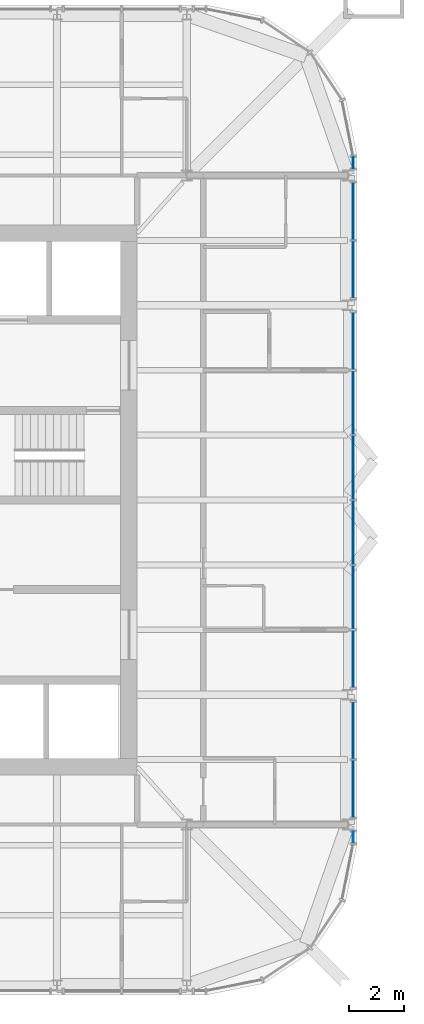
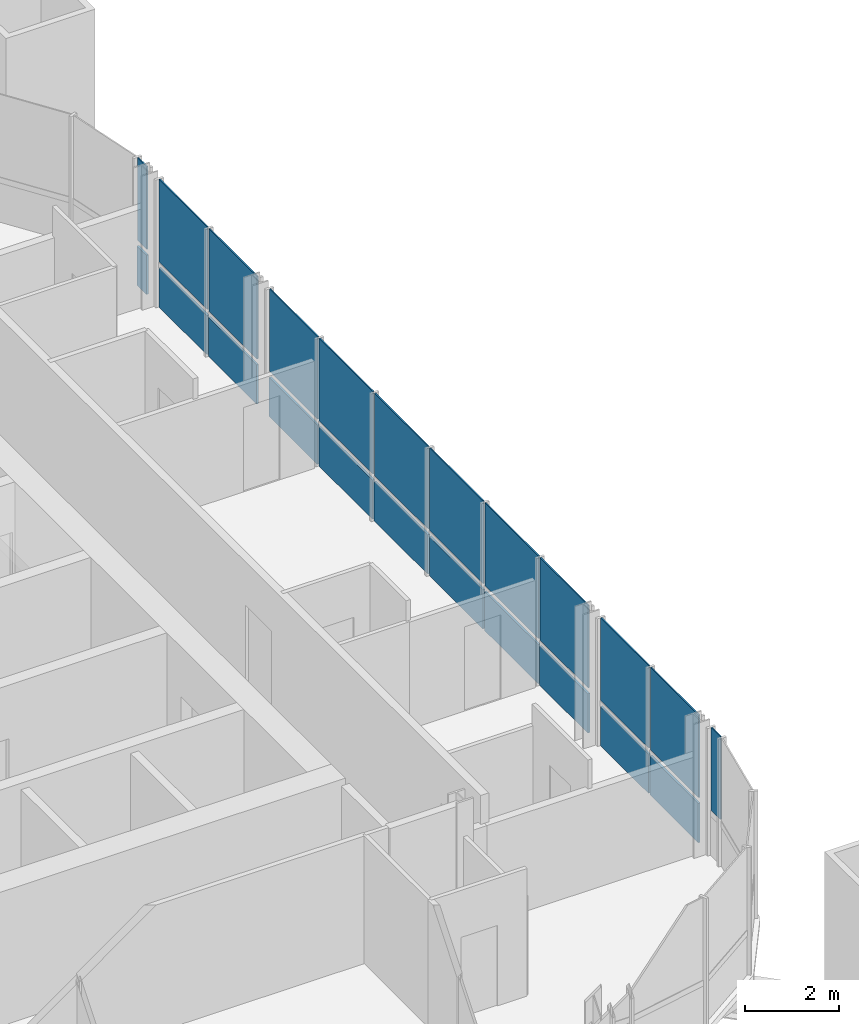
# One storey, part 11 of 17: 23 plates, 5 elements without a shape of their own.
"""IFC4 building model written with IfcOpenShell, lengths in metres."""

from ifc_helpers import new_model, si_unit, direction, frame, origin, origin_2d, place, context, subcontext, project, spatial, rectangle, extrude, material, layer, layer_set, type_object, element, aggregate, save


model = new_model("IFC4")

# Units and contexts
model_context = context("Model", 3, precision=1e-05, world=origin(), true_north=direction((0.0, 1.0)))
body_context = subcontext(model_context, "Body", "Model", "MODEL_VIEW")
ifc_project = project(units=[si_unit("LENGTHUNIT", "METRE"), si_unit("AREAUNIT", "SQUARE_METRE"), si_unit("VOLUMEUNIT", "CUBIC_METRE"), si_unit("PLANEANGLEUNIT", "RADIAN"), si_unit("MASSUNIT", "GRAM", prefix="KILO")], contexts=[model_context])

# Site, building, storey
site_placement = place(None, origin())
site = spatial("IfcSite", under=ifc_project, at=site_placement, CompositionType="ELEMENT")
building_placement = place(site_placement, origin())
building = spatial("IfcBuilding", under=site, at=building_placement, Name="Turquesa Mirador Hotel Tower", CompositionType="ELEMENT")
storey_placement = place(building_placement, frame((0.0, 0.0, 247.699951171875)))
storey = spatial("IfcBuildingStorey", under=building, at=storey_placement, Name="L67", CompositionType="ELEMENT", Elevation=247.699951171875)

# Curtain wall, plates
ifc_material_1 = material(Name="Aluminium extrusion", Category="aluminium")
curtain_wall_type = type_object("IfcCurtainWallType", Name="CW-4 SUITE FRITTED CURTAIN WALL", PredefinedType="USERDEFINED", material=ifc_material_1)
curtain_wall_1_placement = place(storey_placement, origin())
curtain_wall_1 = element("IfcCurtainWall", 1, at=curtain_wall_1_placement, inside=storey, type_object=curtain_wall_type, Name="CW-4 SUITE FRITTED CURTAIN WALL L67", ObjectType="CURTAIN WALL", PredefinedType="USERDEFINED")
ifc_material_2 = material(Name="Ceramic-printed spandrel glass on an insulated back pan", Category="glass")
ifc_layer_1 = layer(ifc_material_2, 0.050048828125)
ifc_layer_set_1 = layer_set([ifc_layer_1], Name="CW PANEL SPANDREL CERAMIC")
plate_type_1 = type_object("IfcPlateType", Name="CW PANEL SPANDREL CERAMIC", PredefinedType="CURTAIN_PANEL", material=ifc_layer_set_1)
plate_1_placement = place(storey_placement, frame((72.85009765625, 34.496826171875, 0.0), z_axis=(0.0, 0.0, 1.0), x_axis=(0.0, 1.0, 0.0)))
plate_1 = element("IfcPlate", 2, at=plate_1_placement, type_object=plate_type_1, Name="Panel", PredefinedType="CURTAIN_PANEL", context=body_context, shape_type="SweptSolid", body=[
    extrude(rectangle(XDim=2.06103515625, YDim=0.050048828125, at=origin_2d()), origin(), (0.0, 0.0, 1.0), 1.02490234375),
])
plate_2_placement = place(storey_placement, frame((72.85009765625, 36.623046875, 0.0), z_axis=(0.0, 0.0, 1.0), x_axis=(0.0, 1.0, 0.0)))
plate_2 = element("IfcPlate", 3, at=plate_2_placement, type_object=plate_type_1, Name="Panel", PredefinedType="CURTAIN_PANEL", context=body_context, shape_type="SweptSolid", body=[
    extrude(rectangle(XDim=2.06103515625, YDim=0.050048828125, at=origin_2d()), origin(), (0.0, 0.0, 1.0), 1.02490234375),
])

curtain_wall_2_placement = place(storey_placement, origin())
curtain_wall_2 = element("IfcCurtainWall", 4, at=curtain_wall_2_placement, inside=storey, type_object=curtain_wall_type, Name="CW-4 SUITE FRITTED CURTAIN WALL L67", ObjectType="CURTAIN WALL", PredefinedType="USERDEFINED")
plate_3_placement = place(storey_placement, frame((72.85009765625, 39.217041015625, 0.0), z_axis=(0.0, 0.0, 1.0), x_axis=(0.0, 1.0, 0.0)))
plate_3 = element("IfcPlate", 5, at=plate_3_placement, type_object=plate_type_1, Name="Panel", PredefinedType="CURTAIN_PANEL", context=body_context, shape_type="SweptSolid", body=[
    extrude(rectangle(XDim=2.06103515625, YDim=0.050048828125, at=origin_2d()), origin(), (0.0, 0.0, 1.0), 1.02490234375),
])
plate_4_placement = place(storey_placement, frame((72.85009765625, 41.4599609375, 0.0), z_axis=(0.0, 0.0, 1.0), x_axis=(0.0, 1.0, 0.0)))
plate_4 = element("IfcPlate", 6, at=plate_4_placement, type_object=plate_type_1, Name="Panel", PredefinedType="CURTAIN_PANEL", context=body_context, shape_type="SweptSolid", body=[
    extrude(rectangle(XDim=2.294921875, YDim=0.050048828125, at=origin_2d()), origin(), (0.0, 0.0, 1.0), 1.02490234375),
])
plate_5_placement = place(storey_placement, frame((72.85009765625, 43.820068359375, 0.0), z_axis=(0.0, 0.0, 1.0), x_axis=(0.0, 1.0, 0.0)))
plate_5 = element("IfcPlate", 7, at=plate_5_placement, type_object=plate_type_1, Name="Panel", PredefinedType="CURTAIN_PANEL", context=body_context, shape_type="SweptSolid", body=[
    extrude(rectangle(XDim=2.294921875, YDim=0.050048828125, at=origin_2d()), origin(), (0.0, 0.0, 1.0), 1.02490234375),
])
plate_6_placement = place(storey_placement, frame((72.85009765625, 46.179931640625, 0.0), z_axis=(0.0, 0.0, 1.0), x_axis=(0.0, 1.0, 0.0)))
plate_6 = element("IfcPlate", 8, at=plate_6_placement, type_object=plate_type_1, Name="Panel", PredefinedType="CURTAIN_PANEL", context=body_context, shape_type="SweptSolid", body=[
    extrude(rectangle(XDim=2.294921875, YDim=0.050048828125, at=origin_2d()), origin(), (0.0, 0.0, 1.0), 1.02490234375),
])
plate_7_placement = place(storey_placement, frame((72.85009765625, 48.5400390625, 0.0), z_axis=(0.0, 0.0, 1.0), x_axis=(0.0, 1.0, 0.0)))
plate_7 = element("IfcPlate", 9, at=plate_7_placement, type_object=plate_type_1, Name="Panel", PredefinedType="CURTAIN_PANEL", context=body_context, shape_type="SweptSolid", body=[
    extrude(rectangle(XDim=2.294921875, YDim=0.050048828125, at=origin_2d()), origin(), (0.0, 0.0, 1.0), 1.02490234375),
])
plate_8_placement = place(storey_placement, frame((72.85009765625, 50.782958984375, 0.0), z_axis=(0.0, 0.0, 1.0), x_axis=(0.0, 1.0, 0.0)))
plate_8 = element("IfcPlate", 10, at=plate_8_placement, type_object=plate_type_1, Name="Panel", PredefinedType="CURTAIN_PANEL", context=body_context, shape_type="SweptSolid", body=[
    extrude(rectangle(XDim=2.06103515625, YDim=0.050048828125, at=origin_2d()), origin(), (0.0, 0.0, 1.0), 1.02490234375),
])

curtain_wall_3_placement = place(storey_placement, origin())
curtain_wall_3 = element("IfcCurtainWall", 11, at=curtain_wall_3_placement, inside=storey, type_object=curtain_wall_type, Name="CW-4 SUITE FRITTED CURTAIN WALL L67", ObjectType="CURTAIN WALL", PredefinedType="USERDEFINED")
plate_9_placement = place(storey_placement, frame((72.85009765625, 53.376953125, 0.0), z_axis=(0.0, 0.0, 1.0), x_axis=(0.0, 1.0, 0.0)))
plate_9 = element("IfcPlate", 12, at=plate_9_placement, type_object=plate_type_1, Name="Panel", PredefinedType="CURTAIN_PANEL", context=body_context, shape_type="SweptSolid", body=[
    extrude(rectangle(XDim=2.06103515625, YDim=0.050048828125, at=origin_2d()), origin(), (0.0, 0.0, 1.0), 1.02490234375),
])
plate_10_placement = place(storey_placement, frame((72.85009765625, 55.503173828125, 0.0), z_axis=(0.0, 0.0, 1.0), x_axis=(0.0, 1.0, 0.0)))
plate_10 = element("IfcPlate", 13, at=plate_10_placement, type_object=plate_type_1, Name="Panel", PredefinedType="CURTAIN_PANEL", context=body_context, shape_type="SweptSolid", body=[
    extrude(rectangle(XDim=2.06103515625, YDim=0.050048828125, at=origin_2d()), origin(), (0.0, 0.0, 1.0), 1.02490234375),
])

# Curtain wall, plate
curtain_wall_4_placement = place(storey_placement, origin())
curtain_wall_4 = element("IfcCurtainWall", 14, at=curtain_wall_4_placement, inside=storey, type_object=curtain_wall_type, Name="CW-4 SUITE FRITTED CURTAIN WALL L67", ObjectType="CURTAIN WALL", PredefinedType="USERDEFINED")
plate_11_placement = place(storey_placement, frame((72.85009765625, 57.266845703125, 0.0), z_axis=(0.0, 0.0, 1.0), x_axis=(0.0, 1.0, 0.0)))
plate_11 = element("IfcPlate", 15, at=plate_11_placement, type_object=plate_type_1, Name="Panel", PredefinedType="CURTAIN_PANEL", context=body_context, shape_type="SweptSolid", body=[
    extrude(rectangle(XDim=0.401123046875, YDim=0.050048828125, at=origin_2d()), origin(), (0.0, 0.0, 1.0), 1.02490234375),
])

curtain_wall_5_placement = place(storey_placement, origin())
curtain_wall_5 = element("IfcCurtainWall", 16, at=curtain_wall_5_placement, inside=storey, type_object=curtain_wall_type, Name="CW-4 SUITE FRITTED CURTAIN WALL L67", ObjectType="CURTAIN WALL", PredefinedType="USERDEFINED")
ifc_material_3 = material(Name="Ceramic-fritted laminated glass", Category="glass")
ifc_layer_2 = layer(ifc_material_3, 0.031982421875)
ifc_layer_set_2 = layer_set([ifc_layer_2], Name="CW PANEL VISION FRITTED")
plate_type_2 = type_object("IfcPlateType", Name="CW PANEL VISION FRITTED", PredefinedType="CURTAIN_PANEL", material=ifc_layer_set_2)
plate_12_placement = place(storey_placement, frame((72.85009765625, 32.733154296875, 1.1748046875), z_axis=(0.0, 0.0, 1.0), x_axis=(0.0, 1.0, 0.0)))
plate_12 = element("IfcPlate", 17, at=plate_12_placement, type_object=plate_type_2, Name="Panel", PredefinedType="CURTAIN_PANEL", context=body_context, shape_type="SweptSolid", body=[
    extrude(rectangle(XDim=0.401123046875, YDim=0.031982421875, at=origin_2d()), origin(), (0.0, 0.0, 1.0), 2.155029296875),
])
aggregate(curtain_wall_5, [plate_12])

# Plate
plate_13_placement = place(storey_placement, frame((72.85009765625, 34.496826171875, 1.1748046875), z_axis=(0.0, 0.0, 1.0), x_axis=(0.0, 1.0, 0.0)))
plate_13 = element("IfcPlate", 18, at=plate_13_placement, type_object=plate_type_2, Name="Panel", PredefinedType="CURTAIN_PANEL", context=body_context, shape_type="SweptSolid", body=[
    extrude(rectangle(XDim=2.06103515625, YDim=0.031982421875, at=origin_2d()), origin(), (0.0, 0.0, 1.0), 2.155029296875),
])

plate_14_placement = place(storey_placement, frame((72.85009765625, 36.623046875, 1.1748046875), z_axis=(0.0, 0.0, 1.0), x_axis=(0.0, 1.0, 0.0)))
plate_14 = element("IfcPlate", 19, at=plate_14_placement, type_object=plate_type_2, Name="Panel", PredefinedType="CURTAIN_PANEL", context=body_context, shape_type="SweptSolid", body=[
    extrude(rectangle(XDim=2.06103515625, YDim=0.031982421875, at=origin_2d()), origin(), (0.0, 0.0, 1.0), 2.155029296875),
])

aggregate(curtain_wall_1, [plate_1, plate_13, plate_2, plate_14])

plate_15_placement = place(storey_placement, frame((72.85009765625, 39.217041015625, 1.1748046875), z_axis=(0.0, 0.0, 1.0), x_axis=(0.0, 1.0, 0.0)))
plate_15 = element("IfcPlate", 20, at=plate_15_placement, type_object=plate_type_2, Name="Panel", PredefinedType="CURTAIN_PANEL", context=body_context, shape_type="SweptSolid", body=[
    extrude(rectangle(XDim=2.06103515625, YDim=0.031982421875, at=origin_2d()), origin(), (0.0, 0.0, 1.0), 2.155029296875),
])

plate_16_placement = place(storey_placement, frame((72.85009765625, 41.4599609375, 1.1748046875), z_axis=(0.0, 0.0, 1.0), x_axis=(0.0, 1.0, 0.0)))
plate_16 = element("IfcPlate", 21, at=plate_16_placement, type_object=plate_type_2, Name="Panel", PredefinedType="CURTAIN_PANEL", context=body_context, shape_type="SweptSolid", body=[
    extrude(rectangle(XDim=2.294921875, YDim=0.031982421875, at=origin_2d()), origin(), (0.0, 0.0, 1.0), 2.155029296875),
])

plate_17_placement = place(storey_placement, frame((72.85009765625, 43.820068359375, 1.1748046875), z_axis=(0.0, 0.0, 1.0), x_axis=(0.0, 1.0, 0.0)))
plate_17 = element("IfcPlate", 22, at=plate_17_placement, type_object=plate_type_2, Name="Panel", PredefinedType="CURTAIN_PANEL", context=body_context, shape_type="SweptSolid", body=[
    extrude(rectangle(XDim=2.294921875, YDim=0.031982421875, at=origin_2d()), origin(), (0.0, 0.0, 1.0), 2.155029296875),
])

plate_18_placement = place(storey_placement, frame((72.85009765625, 46.179931640625, 1.1748046875), z_axis=(0.0, 0.0, 1.0), x_axis=(0.0, 1.0, 0.0)))
plate_18 = element("IfcPlate", 23, at=plate_18_placement, type_object=plate_type_2, Name="Panel", PredefinedType="CURTAIN_PANEL", context=body_context, shape_type="SweptSolid", body=[
    extrude(rectangle(XDim=2.294921875, YDim=0.031982421875, at=origin_2d()), origin(), (0.0, 0.0, 1.0), 2.155029296875),
])

plate_19_placement = place(storey_placement, frame((72.85009765625, 48.5400390625, 1.1748046875), z_axis=(0.0, 0.0, 1.0), x_axis=(0.0, 1.0, 0.0)))
plate_19 = element("IfcPlate", 24, at=plate_19_placement, type_object=plate_type_2, Name="Panel", PredefinedType="CURTAIN_PANEL", context=body_context, shape_type="SweptSolid", body=[
    extrude(rectangle(XDim=2.294921875, YDim=0.031982421875, at=origin_2d()), origin(), (0.0, 0.0, 1.0), 2.155029296875),
])

plate_20_placement = place(storey_placement, frame((72.85009765625, 50.782958984375, 1.1748046875), z_axis=(0.0, 0.0, 1.0), x_axis=(0.0, 1.0, 0.0)))
plate_20 = element("IfcPlate", 25, at=plate_20_placement, type_object=plate_type_2, Name="Panel", PredefinedType="CURTAIN_PANEL", context=body_context, shape_type="SweptSolid", body=[
    extrude(rectangle(XDim=2.06103515625, YDim=0.031982421875, at=origin_2d()), origin(), (0.0, 0.0, 1.0), 2.155029296875),
])

aggregate(curtain_wall_2, [plate_3, plate_15, plate_4, plate_16, plate_5, plate_17, plate_6, plate_18, plate_7, plate_19, plate_8, plate_20])

plate_21_placement = place(storey_placement, frame((72.85009765625, 53.376953125, 1.1748046875), z_axis=(0.0, 0.0, 1.0), x_axis=(0.0, 1.0, 0.0)))
plate_21 = element("IfcPlate", 26, at=plate_21_placement, type_object=plate_type_2, Name="Panel", PredefinedType="CURTAIN_PANEL", context=body_context, shape_type="SweptSolid", body=[
    extrude(rectangle(XDim=2.06103515625, YDim=0.031982421875, at=origin_2d()), origin(), (0.0, 0.0, 1.0), 2.155029296875),
])

plate_22_placement = place(storey_placement, frame((72.85009765625, 55.503173828125, 1.1748046875), z_axis=(0.0, 0.0, 1.0), x_axis=(0.0, 1.0, 0.0)))
plate_22 = element("IfcPlate", 27, at=plate_22_placement, type_object=plate_type_2, Name="Panel", PredefinedType="CURTAIN_PANEL", context=body_context, shape_type="SweptSolid", body=[
    extrude(rectangle(XDim=2.06103515625, YDim=0.031982421875, at=origin_2d()), origin(), (0.0, 0.0, 1.0), 2.155029296875),
])

aggregate(curtain_wall_3, [plate_9, plate_21, plate_10, plate_22])

plate_23_placement = place(storey_placement, frame((72.85009765625, 57.266845703125, 1.1748046875), z_axis=(0.0, 0.0, 1.0), x_axis=(0.0, 1.0, 0.0)))
plate_23 = element("IfcPlate", 28, at=plate_23_placement, type_object=plate_type_2, Name="Panel", PredefinedType="CURTAIN_PANEL", context=body_context, shape_type="SweptSolid", body=[
    extrude(rectangle(XDim=0.401123046875, YDim=0.031982421875, at=origin_2d()), origin(), (0.0, 0.0, 1.0), 2.155029296875),
])

aggregate(curtain_wall_4, [plate_11, plate_23])

save(model, "model.ifc")
